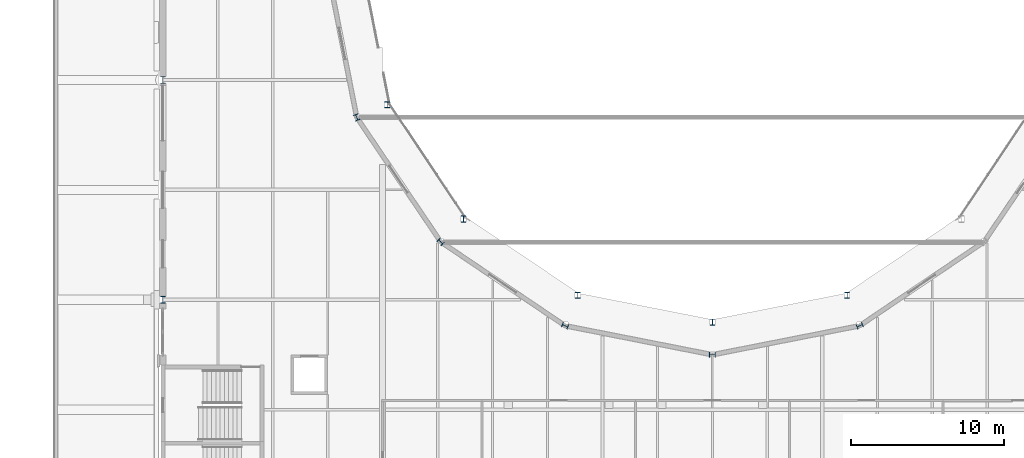
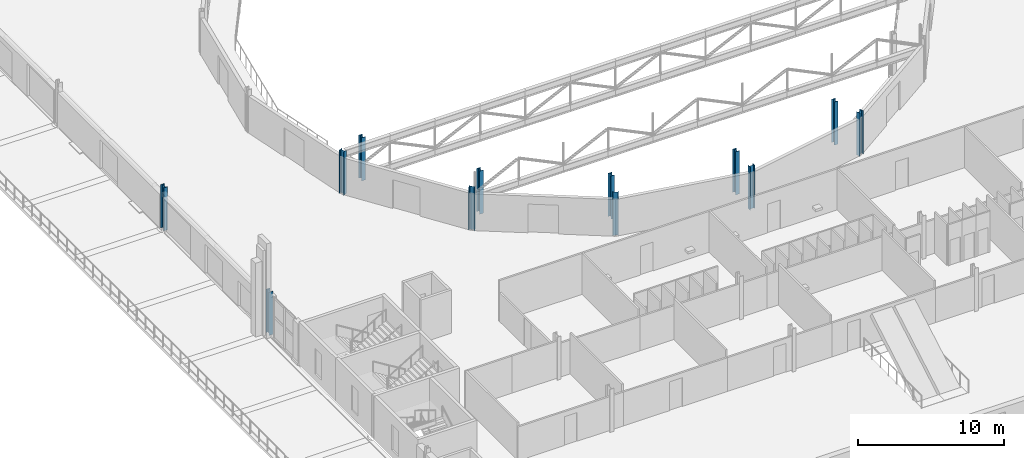
# One storey, part 3 of 143: 12 columns.
"""IFC4 building model written with IfcOpenShell, lengths in metres."""

from ifc_helpers import new_model, si_unit, direction, frame, origin, origin_2d, place, context, subcontext, project, spatial, i_section, extrude, material, material_profile, profile_set, type_object, element, save


model = new_model("IFC4")

# Units and contexts
model_context = context("Model", 3, precision=1e-05, world=origin(), true_north=direction((0.0, 1.0)))
body_context = subcontext(model_context, "Body", "Model", "MODEL_VIEW")
ifc_project = project(units=[si_unit("LENGTHUNIT", "METRE"), si_unit("AREAUNIT", "SQUARE_METRE"), si_unit("VOLUMEUNIT", "CUBIC_METRE"), si_unit("PLANEANGLEUNIT", "RADIAN"), si_unit("MASSUNIT", "GRAM", prefix="KILO")], contexts=[model_context])

# Site, building, storey
site_placement = place(None, origin())
site = spatial("IfcSite", under=ifc_project, at=site_placement, CompositionType="ELEMENT")
building_placement = place(site_placement, origin())
building = spatial("IfcBuilding", under=site, at=building_placement, Name="Kupolbacken Congress Centre", CompositionType="ELEMENT")
storey_placement = place(building_placement, frame((0.0, 0.0, 7.199951171875)))
storey = spatial("IfcBuildingStorey", under=building, at=storey_placement, Name="L02", CompositionType="ELEMENT", Elevation=7.199951171875)

# Columns
ifc_material_1 = material(Name="Steel S355", Category="steel")
ifc_material_profile_1 = material_profile(ifc_material_1, i_section(OverallWidth=0.300048828125, OverallDepth=0.449951171875, WebThickness=0.013916015625, FlangeThickness=0.02587890625, FilletRadius=0.027099609375, at=origin_2d()), Name="HEB 450")
ifc_profile_set_1 = profile_set([ifc_material_profile_1], Name="Steel S355")
column_type_1 = type_object("IfcColumnType", Name="C03 column HEB 450", PredefinedType="COLUMN", material=ifc_profile_set_1)
for number, where, z_axis, x_axis, name in (
    (1, (7.199951171875, 64.800048828125, 0.0), (0.0, 0.0, 1.0), (1.0, 0.0, 0.0), "S/col/C-P-2K/L02"),
    (2, (7.199951171875, 79.199951171875, 0.0), (0.0, 0.0, 1.0), (1.0, 0.0, 0.0), "S/col/C-P-2M/L02"),
):
    element("IfcColumn", number, at=place(storey_placement, frame(where, z_axis=z_axis, x_axis=x_axis)), inside=storey, type_object=column_type_1, Name=name, PredefinedType="COLUMN", context=body_context, shape_type="SweptSolid", body=[
        extrude(i_section(OverallWidth=0.300048828125, OverallDepth=0.449951171875, WebThickness=0.013916015625, FlangeThickness=0.02587890625, FilletRadius=0.027099609375, at=origin_2d()), origin(), (0.0, 0.0, 1.0), 3.60009765625),
    ])
ifc_material_2 = material(Name="Steel S355", Category="steel")
ifc_material_profile_2 = material_profile(ifc_material_2, i_section(OverallWidth=0.300048828125, OverallDepth=0.39990234375, WebThickness=0.013427734375, FlangeThickness=0.02392578125, FilletRadius=0.027099609375, at=origin_2d()), Name="HEB 400")
ifc_profile_set_2 = profile_set([ifc_material_profile_2], Name="Steel S355")
column_type_2 = type_object("IfcColumnType", Name="C08 column HEB 400", PredefinedType="COLUMN", material=ifc_profile_set_2)
for number, where, z_axis, x_axis, name in (
    (3, (19.89990234375, 76.75, 0.0), (0.0, 0.0, 1.0), (-0.923896018243, -0.382643629864, 0.0), "S/col/C-D10/L02"),
    (4, (25.39990234375, 68.60009765625, 0.0), (0.0, 0.0, 1.0), (-0.707106781187, -0.707106781187, 0.0), "S/col/C-D11/L02"),
    (5, (33.550048828125, 63.10009765625, 0.0), (0.0, 0.0, 1.0), (-0.382643629864, -0.923896018243, 0.0), "S/col/C-D12/L02"),
    (6, (43.199951171875, 61.199951171875, 0.0), (0.0, 0.0, 1.0), (0.0, -1.0, 0.0), "S/col/C-D13/L02"),
    (7, (52.85009765625, 63.10009765625, 0.0), (0.0, 0.0, 1.0), (0.382643629864, -0.923896018243, 0.0), "S/col/C-D14/L02"),
    (8, (21.896484375, 77.57568359375, 0.0), (0.0, 0.0, 1.0), (1.0, 0.0, 0.0), "Plenary ring column"),
    (9, (26.89501953125, 70.094970703125, 0.0), (0.0, 0.0, 1.0), (1.0, 0.0, 0.0), "Plenary ring column"),
    (10, (34.375732421875, 65.096435546875, 0.0), (0.0, 0.0, 1.0), (1.0, 0.0, 0.0), "Plenary ring column"),
    (11, (43.199951171875, 63.341064453125, 0.0), (0.0, 0.0, 1.0), (1.0, 0.0, 0.0), "Plenary ring column"),
    (12, (52.024169921875, 65.096435546875, 0.0), (0.0, 0.0, 1.0), (1.0, 0.0, 0.0), "Plenary ring column"),
):
    element("IfcColumn", number, at=place(storey_placement, frame(where, z_axis=z_axis, x_axis=x_axis)), inside=storey, type_object=column_type_2, Name=name, PredefinedType="COLUMN", context=body_context, shape_type="SweptSolid", body=[
        extrude(i_section(OverallWidth=0.300048828125, OverallDepth=0.39990234375, WebThickness=0.013427734375, FlangeThickness=0.02392578125, FilletRadius=0.027099609375, at=origin_2d()), origin(), (0.0, 0.0, 1.0), 3.60009765625),
    ])

save(model, "model.ifc")
